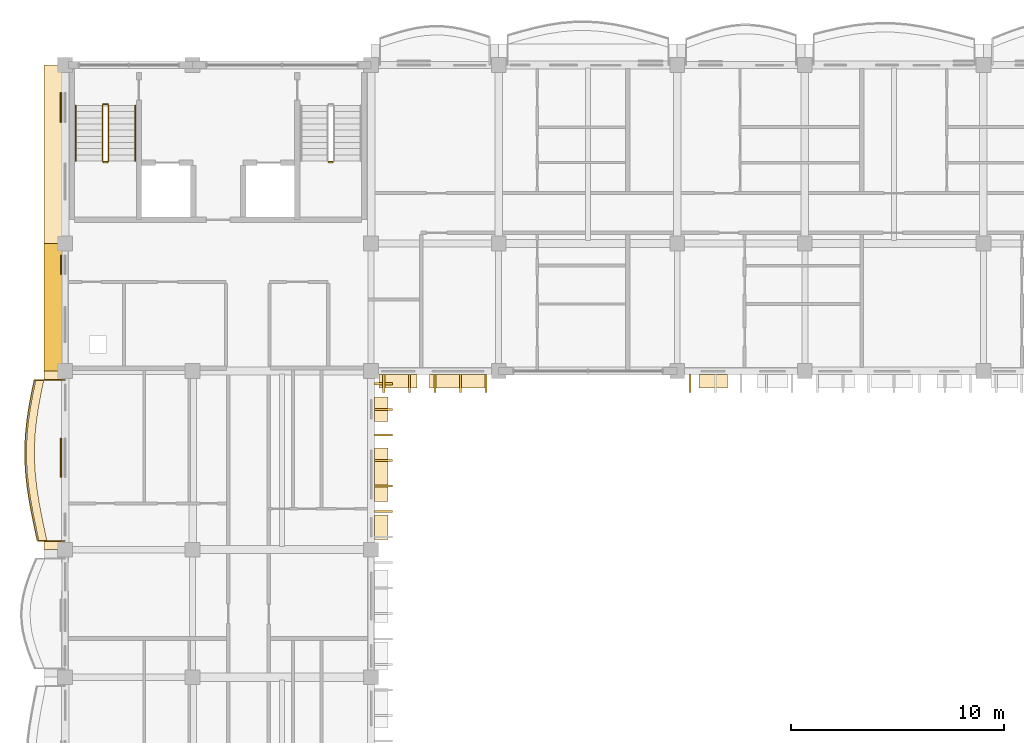
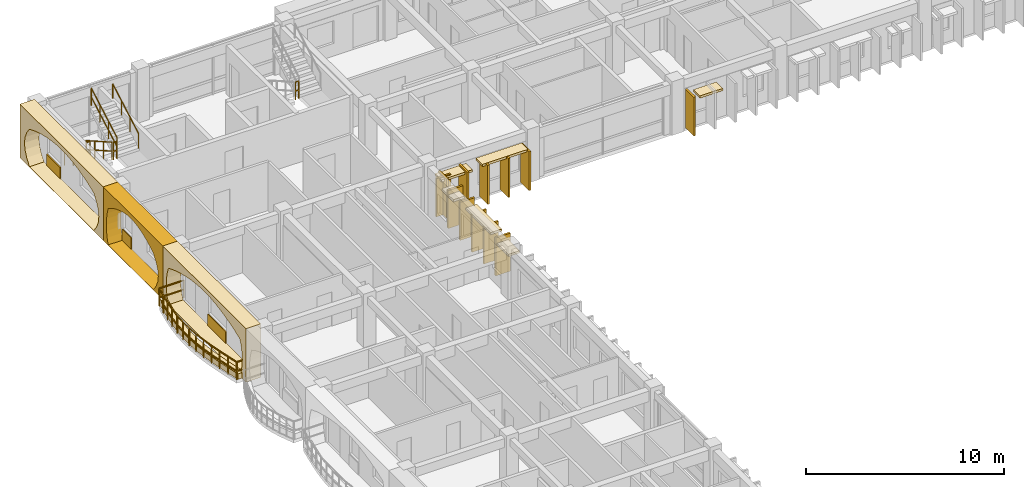
# One storey, part 57 of 76: 25 coverings, 8 railings.
"""IFC4 building model written with IfcOpenShell, lengths in metres."""

from ifc_helpers import new_model, si_unit, direction, frame, origin, origin_2d, place, context, subcontext, project, spatial, polyline, rectangle, outline, extrude, material, layer, layer_set, type_object, element, save


model = new_model("IFC4")

# Units and contexts
model_context = context("Model", 3, precision=1e-05, world=origin(), true_north=direction((0.0, 1.0)))
body_context = subcontext(model_context, "Body", "Model", "MODEL_VIEW")
ifc_project = project(units=[si_unit("LENGTHUNIT", "METRE"), si_unit("AREAUNIT", "SQUARE_METRE"), si_unit("VOLUMEUNIT", "CUBIC_METRE"), si_unit("PLANEANGLEUNIT", "RADIAN"), si_unit("MASSUNIT", "GRAM", prefix="KILO"), si_unit("THERMODYNAMICTEMPERATUREUNIT", "KELVIN")], contexts=[model_context])

# Site, building, storey
site_placement = place(None, origin())
site = spatial("IfcSite", under=ifc_project, at=site_placement, CompositionType="ELEMENT")
building_placement = place(site_placement, origin())
building = spatial("IfcBuilding", under=site, at=building_placement, Name="Thalorik Housing Commons", CompositionType="ELEMENT")
storey_placement = place(building_placement, frame((0.0, 0.0, 18.0)))
storey = spatial("IfcBuildingStorey", under=building, at=storey_placement, Name="L05", CompositionType="ELEMENT", Elevation=18.0)

# Coverings
ifc_material_1 = material(Name="Cobalt blue glazed ceramic facade tile panel", Category="masonry")
ifc_layer_1 = layer(ifc_material_1, 0.06005859375, Name="Cobalt blue glazed ceramic facade tile panel", Category="masonry")
ifc_layer_set_1 = layer_set([ifc_layer_1], Name="Cobalt blue glazed ceramic facade tile panel")
covering_type_1 = type_object("IfcCoveringType", Name="ARC-CLD-BLU-60", PredefinedType="CLADDING", material=ifc_layer_set_1)
covering_1_placement = place(storey_placement, frame((8.21240234375, 105.1298828125, 0.0498046875), z_axis=(0.0, 0.0, 1.0), x_axis=(0.0, -1.0, 0.0)))
element("IfcCovering", 1, at=covering_1_placement, inside=storey, type_object=covering_type_1, Name="L05 De Stijl Recessed Window Spandrel 566", PredefinedType="CLADDING", context=body_context, shape_type="SweptSolid", body=[
    extrude(rectangle(XDim=1.820068359375, YDim=0.06005859375, at=origin_2d()), origin(), (0.0, 0.0, 1.0), 0.699951171875),
])
ifc_material_2 = material(Name="Precast concrete C40/50", Category="concrete")
ifc_layer_2 = layer(ifc_material_2, 0.85009765625, Name="Precast concrete C40/50", Category="concrete")
ifc_layer_set_2 = layer_set([ifc_layer_2], Name="Precast concrete C40/50")
covering_type_2 = type_object("IfcCoveringType", Name="ARC-CLD-CUSH-850", PredefinedType="CLADDING", material=ifc_layer_set_2)
covering_2_placement = place(storey_placement, frame((7.822509765625, 119.39990234375, 0.0), z_axis=(0.0, 0.0, 1.0), x_axis=(0.0, -1.0, 0.0)))
element("IfcCovering", 2, at=covering_2_placement, inside=storey, type_object=covering_type_2, Name="L05 White Precast Curved Cushion Bay Frame 561", PredefinedType="CLADDING", context=body_context, shape_type="SweptSolid", body=[
    extrude(outline(polyline([(-4.199951171875, 0.0), (4.199951171875, 0.0), (4.199951171875, 3.300048828125), (-4.199951171875, 3.300048828125), (-4.199951171875, 0.0)]), holes=[polyline([(3.239990234375, 0.02490234375), (3.523193359375, 0.410888671875), (3.693359375, 0.796630859375), (3.75, 1.1826171875), (3.693359375, 1.568359375), (3.523193359375, 1.9541015625), (3.239990234375, 2.340087890625), (2.699951171875, 2.552978515625), (2.159912109375, 2.720458984375), (1.6201171875, 2.85595703125), (1.080078125, 2.956787109375), (0.5400390625, 3.01904296875), (0.0, 3.0400390625), (-0.5400390625, 3.01904296875), (-1.080078125, 2.956787109375), (-1.6201171875, 2.85595703125), (-2.159912109375, 2.720458984375), (-2.699951171875, 2.552978515625), (-3.239990234375, 2.340087890625), (-3.523193359375, 1.9541015625), (-3.693359375, 1.568359375), (-3.75, 1.1826171875), (-3.693359375, 0.796630859375), (-3.523193359375, 0.410888671875), (-3.239990234375, 0.02490234375), (3.239990234375, 0.02490234375)])]), frame((0.0, 0.425048828125, 0.0), z_axis=(0.0, -1.0, 0.0), x_axis=(1.0, 0.0, 0.0)), (0.0, 0.0, 1.0), 0.85009765625),
])
covering_3_placement = place(storey_placement, frame((7.822509765625, 112.199951171875, 0.0), z_axis=(0.0, 0.0, 1.0), x_axis=(0.0, -1.0, 0.0)))
element("IfcCovering", 3, at=covering_3_placement, inside=storey, type_object=covering_type_2, Name="L05 White Precast Curved Cushion Bay Frame 563", PredefinedType="CLADDING", context=body_context, shape_type="SweptSolid", body=[
    extrude(outline(polyline([(-3.0, 0.0), (3.0, 0.0), (3.0, 3.300048828125), (-3.0, 3.300048828125), (-3.0, 0.0)]), holes=[polyline([(2.0400390625, 0.02490234375), (2.3232421875, 0.40087890625), (2.493408203125, 0.776611328125), (2.550048828125, 1.152587890625), (2.493408203125, 1.5283203125), (2.3232421875, 1.904296875), (2.0400390625, 2.280029296875), (1.661376953125, 2.51123046875), (1.282470703125, 2.693115234375), (0.90380859375, 2.840087890625), (0.52490234375, 2.94970703125), (0.146240234375, 3.01708984375), (-0.232421875, 3.0400390625), (-0.611328125, 3.01708984375), (-0.989990234375, 2.94970703125), (-1.36865234375, 2.840087890625), (-1.74755859375, 2.693115234375), (-2.126220703125, 2.51123046875), (-2.5048828125, 2.280029296875), (-2.609619140625, 1.904296875), (-2.672119140625, 1.5283203125), (-2.693115234375, 1.152587890625), (-2.672119140625, 0.776611328125), (-2.609619140625, 0.40087890625), (-2.5048828125, 0.02490234375), (2.0400390625, 0.02490234375)])]), frame((0.0, 0.425048828125, 0.0), z_axis=(0.0, -1.0, 0.0), x_axis=(1.0, 0.0, 0.0)), (0.0, 0.0, 1.0), 0.85009765625),
])
covering_4_placement = place(storey_placement, frame((7.822509765625, 105.0, 0.0), z_axis=(0.0, 0.0, 1.0), x_axis=(0.0, -1.0, 0.0)))
element("IfcCovering", 4, at=covering_4_placement, inside=storey, type_object=covering_type_2, Name="L05 White Precast Curved Cushion Bay Frame 565", PredefinedType="CLADDING", context=body_context, shape_type="SweptSolid", body=[
    extrude(outline(polyline([(-4.199951171875, 0.0), (4.199951171875, 0.0), (4.199951171875, 3.300048828125), (-4.199951171875, 3.300048828125), (-4.199951171875, 0.0)]), holes=[polyline([(3.590087890625, 0.02490234375), (3.71875, 0.40087890625), (3.7958984375, 0.776611328125), (3.82177734375, 1.152587890625), (3.7958984375, 1.5283203125), (3.71875, 1.904296875), (3.590087890625, 2.280029296875), (2.98828125, 2.51123046875), (2.38671875, 2.693115234375), (1.784912109375, 2.840087890625), (1.183349609375, 2.94970703125), (0.581787109375, 3.01708984375), (-0.02001953125, 3.0400390625), (-0.62158203125, 3.01708984375), (-1.223388671875, 2.94970703125), (-1.824951171875, 2.840087890625), (-2.4267578125, 2.693115234375), (-3.0283203125, 2.51123046875), (-3.6298828125, 2.280029296875), (-3.750244140625, 1.904296875), (-3.822509765625, 1.5283203125), (-3.8466796875, 1.152587890625), (-3.822509765625, 0.776611328125), (-3.750244140625, 0.40087890625), (-3.6298828125, 0.02490234375), (3.590087890625, 0.02490234375)])]), frame((0.0, 0.425048828125, 0.0), z_axis=(0.0, -1.0, 0.0), x_axis=(1.0, 0.0, 0.0)), (0.0, 0.0, 1.0), 0.85009765625),
])
ifc_layer_3 = layer(ifc_material_2, 0.85009765625, Name="Precast concrete C40/50", Category="concrete")
ifc_layer_set_3 = layer_set([ifc_layer_3], Name="Precast concrete C40/50")
covering_type_3 = type_object("IfcCoveringType", Name="ARC-CLD-FIN-850", PredefinedType="CLADDING", material=ifc_layer_set_3)
for number, where, z_axis, x_axis, name in (
    (5, (23.39990234375, 108.62255859375, 0.0400390625), (0.0, 0.0, 1.0), (1.0, 0.0, 0.0), "L05 Courtyard Precast Vertical Brise-Soleil Fin 513"),
    (6, (24.60009765625, 108.62255859375, 0.0400390625), (0.0, 0.0, 1.0), (1.0, 0.0, 0.0), "L05 Courtyard Precast Vertical Brise-Soleil Fin 514"),
    (7, (25.800048828125, 108.62255859375, 0.0400390625), (0.0, 0.0, 1.0), (1.0, 0.0, 0.0), "L05 Courtyard Precast Vertical Brise-Soleil Fin 515"),
    (8, (27.0, 108.62255859375, 0.0400390625), (0.0, 0.0, 1.0), (1.0, 0.0, 0.0), "L05 Courtyard Precast Vertical Brise-Soleil Fin 516"),
    (9, (28.199951171875, 108.62255859375, 0.0400390625), (0.0, 0.0, 1.0), (1.0, 0.0, 0.0), "L05 Courtyard Precast Vertical Brise-Soleil Fin 517"),
    (10, (37.800048828125, 108.62255859375, 0.0400390625), (0.0, 0.0, 1.0), (1.0, 0.0, 0.0), "L05 Courtyard Precast Vertical Brise-Soleil Fin 520"),
):
    element("IfcCovering", number, at=place(storey_placement, frame(where, z_axis=z_axis, x_axis=x_axis)), inside=storey, type_object=covering_type_3, Name=name, PredefinedType="CLADDING", context=body_context, shape_type="SweptSolid", body=[
        extrude(rectangle(XDim=0.110107421875, YDim=0.85009765625, at=origin_2d()), origin(), (0.0, 0.0, 1.0), 2.39501953125),
    ])
for number, where, z_axis, x_axis, name in (
    (11, (23.37744140625, 102.60009765625, 0.0400390625), (0.0, 0.0, 1.0), (0.0, 1.0, 0.0), "L05 Courtyard Precast Vertical Brise-Soleil Fin 610"),
    (12, (23.37744140625, 103.800048828125, 0.0400390625), (0.0, 0.0, 1.0), (0.0, 1.0, 0.0), "L05 Courtyard Precast Vertical Brise-Soleil Fin 611"),
    (13, (23.37744140625, 105.0, 0.0400390625), (0.0, 0.0, 1.0), (0.0, 1.0, 0.0), "L05 Courtyard Precast Vertical Brise-Soleil Fin 612"),
    (14, (23.37744140625, 106.199951171875, 0.0400390625), (0.0, 0.0, 1.0), (0.0, 1.0, 0.0), "L05 Courtyard Precast Vertical Brise-Soleil Fin 613"),
    (15, (23.37744140625, 107.39990234375, 0.0400390625), (0.0, 0.0, 1.0), (0.0, 1.0, 0.0), "L05 Courtyard Precast Vertical Brise-Soleil Fin 614"),
    (16, (23.37744140625, 108.60009765625, 0.0400390625), (0.0, 0.0, 1.0), (0.0, 1.0, 0.0), "L05 Courtyard Precast Vertical Brise-Soleil Fin 615"),
):
    element("IfcCovering", number, at=place(storey_placement, frame(where, z_axis=z_axis, x_axis=x_axis)), inside=storey, type_object=covering_type_3, Name=name, PredefinedType="CLADDING", context=body_context, shape_type="SweptSolid", body=[
        extrude(rectangle(XDim=0.110107421875, YDim=0.85009765625, at=origin_2d()), origin(), (0.0, 0.0, 1.0), 2.344970703125),
    ])
ifc_layer_4 = layer(ifc_material_2, 0.64990234375, Name="Precast concrete C40/50", Category="concrete")
ifc_layer_set_4 = layer_set([ifc_layer_4], Name="Precast concrete C40/50")
covering_type_4 = type_object("IfcCoveringType", Name="ARC-CLD-HOOD-650", PredefinedType="CLADDING", material=ifc_layer_set_4)
covering_5_placement = place(storey_placement, frame((24.070068359375, 108.722412109375, 2.18994140625), z_axis=(0.0, 0.0, 1.0), x_axis=(1.0, 0.0, 0.0)))
element("IfcCovering", 17, at=covering_5_placement, inside=storey, type_object=covering_type_4, Name="L05 Courtyard Precast Window Sun-Hood 518", PredefinedType="CLADDING", context=body_context, shape_type="SweptSolid", body=[
    extrude(rectangle(XDim=1.7900390625, YDim=0.64990234375, at=origin_2d()), origin(), (0.0, 0.0, 1.0), 0.139892578125),
])
covering_6_placement = place(storey_placement, frame((26.8798828125, 108.722412109375, 2.31005859375), z_axis=(0.0, 0.0, 1.0), x_axis=(1.0, 0.0, 0.0)))
element("IfcCovering", 18, at=covering_6_placement, inside=storey, type_object=covering_type_4, Name="L05 Courtyard Precast Window Sun-Hood 519", PredefinedType="CLADDING", context=body_context, shape_type="SweptSolid", body=[
    extrude(rectangle(XDim=2.659912109375, YDim=0.64990234375, at=origin_2d()), origin(), (0.0, 0.0, 1.0), 0.139892578125),
])
covering_7_placement = place(storey_placement, frame((38.882568359375, 108.722412109375, 2.08984375), z_axis=(0.0, 0.0, 1.0), x_axis=(1.0, 0.0, 0.0)))
element("IfcCovering", 19, at=covering_7_placement, inside=storey, type_object=covering_type_4, Name="L05 Courtyard Precast Window Sun-Hood 525", PredefinedType="CLADDING", context=body_context, shape_type="SweptSolid", body=[
    extrude(rectangle(XDim=1.340087890625, YDim=0.64990234375, at=origin_2d()), origin(), (0.0, 0.0, 1.0), 0.139892578125),
])
covering_8_placement = place(storey_placement, frame((23.277587890625, 101.85791015625, 1.990234375), z_axis=(0.0, 0.0, 1.0), x_axis=(0.0, 1.0, 0.0)))
element("IfcCovering", 20, at=covering_8_placement, inside=storey, type_object=covering_type_4, Name="L05 Courtyard Precast Window Sun-Hood 616", PredefinedType="CLADDING", context=body_context, shape_type="SweptSolid", body=[
    extrude(rectangle(XDim=1.139892578125, YDim=0.64990234375, at=origin_2d()), origin(), (0.0, 0.0, 1.0), 0.139892578125),
])
covering_9_placement = place(storey_placement, frame((23.277587890625, 104.331787109375, 2.25), z_axis=(0.0, 0.0, 1.0), x_axis=(0.0, 1.0, 0.0)))
element("IfcCovering", 21, at=covering_9_placement, inside=storey, type_object=covering_type_4, Name="L05 Courtyard Precast Window Sun-Hood 617", PredefinedType="CLADDING", context=body_context, shape_type="SweptSolid", body=[
    extrude(rectangle(XDim=2.52001953125, YDim=0.64990234375, at=origin_2d()), origin(), (0.0, 0.0, 1.0), 0.139892578125),
])
covering_10_placement = place(storey_placement, frame((23.277587890625, 107.40380859375, 1.990234375), z_axis=(0.0, 0.0, 1.0), x_axis=(0.0, 1.0, 0.0)))
element("IfcCovering", 22, at=covering_10_placement, inside=storey, type_object=covering_type_4, Name="L05 Courtyard Precast Window Sun-Hood 618", PredefinedType="CLADDING", context=body_context, shape_type="SweptSolid", body=[
    extrude(rectangle(XDim=1.139892578125, YDim=0.64990234375, at=origin_2d()), origin(), (0.0, 0.0, 1.0), 0.139892578125),
])
ifc_material_3 = material(Name="Terracotta red mineral fibre-cement panel", Category="masonry")
ifc_layer_5 = layer(ifc_material_3, 0.054931640625, Name="Terracotta red mineral fibre-cement panel", Category="masonry")
ifc_layer_set_5 = layer_set([ifc_layer_5], Name="Terracotta red mineral fibre-cement panel")
covering_type_5 = type_object("IfcCoveringType", Name="ARC-CLD-RED-55", PredefinedType="CLADDING", material=ifc_layer_set_5)
covering_11_placement = place(storey_placement, frame((8.215087890625, 114.205078125, 0.0498046875), z_axis=(0.0, 0.0, 1.0), x_axis=(0.0, -1.0, 0.0)))
element("IfcCovering", 23, at=covering_11_placement, inside=storey, type_object=covering_type_5, Name="L05 De Stijl Recessed Window Spandrel 564", PredefinedType="CLADDING", context=body_context, shape_type="SweptSolid", body=[
    extrude(rectangle(XDim=0.89990234375, YDim=0.054931640625, at=origin_2d()), origin(), (0.0, 0.0, 1.0), 0.699951171875),
])
ifc_material_4 = material(Name="Mineral ochre architectural terracotta panel", Category="masonry")
ifc_layer_6 = layer(ifc_material_4, 0.06494140625, Name="Mineral ochre architectural terracotta panel", Category="masonry")
ifc_layer_set_6 = layer_set([ifc_layer_6], Name="Mineral ochre architectural terracotta panel")
covering_type_6 = type_object("IfcCoveringType", Name="ARC-CLD-YEL-65", PredefinedType="CLADDING", material=ifc_layer_set_6)
covering_12_placement = place(storey_placement, frame((8.2099609375, 121.603759765625, 0.0498046875), z_axis=(0.0, 0.0, 1.0), x_axis=(0.0, -1.0, 0.0)))
element("IfcCovering", 24, at=covering_12_placement, inside=storey, type_object=covering_type_6, Name="L05 De Stijl Recessed Window Spandrel 562", PredefinedType="CLADDING", context=body_context, shape_type="SweptSolid", body=[
    extrude(rectangle(XDim=1.3798828125, YDim=0.06494140625, at=origin_2d()), origin(), (0.0, 0.0, 1.0), 0.699951171875),
])
ifc_material_5 = material(Name="Planted vegetated substrate and terracotta trough", Category="masonry")
ifc_layer_7 = layer(ifc_material_5, 0.340087890625, Name="Planted vegetated substrate and terracotta trough", Category="masonry")
ifc_layer_set_7 = layer_set([ifc_layer_7], Name="Planted vegetated substrate and terracotta trough")
covering_type_7 = type_object("IfcCoveringType", Name="ARC-COV-PLANTER", PredefinedType="USERDEFINED", material=ifc_layer_set_7)
covering_13_placement = place(storey_placement, origin())
element("IfcCovering", 25, at=covering_13_placement, inside=storey, type_object=covering_type_7, Name="L05 Balcony Slab-Edge Planted Trough 5356", ObjectType="PLANTER", PredefinedType="USERDEFINED", context=body_context, shape_type="SweptSolid", body=[
    extrude(outline(polyline([(7.021484375, 108.780029296875), (6.889892578125, 108.14990234375), (6.773193359375, 107.52001953125), (6.67919921875, 106.889892578125), (6.613525390625, 106.260009765625), (6.5810546875, 105.6298828125), (6.58349609375, 105.0), (6.620361328125, 104.3701171875), (6.689208984375, 103.739990234375), (6.785400390625, 103.110107421875), (6.90234375, 102.47998046875), (7.031982421875, 101.85009765625), (7.165771484375, 101.219970703125), (7.5458984375, 101.219970703125), (7.412109375, 101.85009765625), (7.282470703125, 102.47998046875), (7.16552734375, 103.110107421875), (7.0693359375, 103.739990234375), (7.00048828125, 104.3701171875), (6.96337890625, 105.0), (6.961181640625, 105.6298828125), (6.99365234375, 106.260009765625), (7.05908203125, 106.889892578125), (7.1533203125, 107.52001953125), (7.27001953125, 108.14990234375), (7.4013671875, 108.780029296875), (7.021484375, 108.780029296875)])), origin(), (0.0, 0.0, 1.0), 0.340087890625),
])

# Railings
ifc_material_6 = material(Name="Steel S355", Category="steel")
railing_type_1 = type_object("IfcRailingType", Name="ARC-RL-BAL-112", PredefinedType="BALUSTRADE", material=ifc_material_6)
railing_1_placement = place(storey_placement, frame((8.39990234375, 108.780029296875, 0.0)))
element("IfcRailing", 26, at=railing_1_placement, inside=storey, type_object=railing_type_1, Name="L05 Cushion Balcony Guardrail 40", PredefinedType="BALUSTRADE", context=body_context, shape_type="SweptSolid", body=[
    extrude(rectangle(XDim=0.050048828125, YDim=0.050048828125, at=origin_2d()), frame((0.0, 0.0, 1.09521484375), z_axis=(-1.0, 0.0, 0.0), x_axis=(0.0, -1.0, 0.0)), (0.0, 0.0, 1.0), 1.448486328125),
    extrude(rectangle(XDim=0.050048828125, YDim=0.050048828125, at=origin_2d()), frame((0.0, 0.0, 0.53515625), z_axis=(-1.0, 0.0, 0.0), x_axis=(0.0, -1.0, 0.0)), (0.0, 0.0, 1.0), 1.448486328125),
    extrude(rectangle(XDim=0.050048828125, YDim=0.050048828125, at=origin_2d()), frame((-1.448486328125, 0.0, 1.09521484375), z_axis=(-0.204060278582, -0.978958325316, 0.0), x_axis=(0.978958325316, -0.204060278582, 0.0)), (0.0, 0.0, 1.0), 0.6435546875),
    extrude(rectangle(XDim=0.050048828125, YDim=0.050048828125, at=origin_2d()), frame((-1.448486328125, 0.0, 0.53515625), z_axis=(-0.204060278582, -0.978958325316, 0.0), x_axis=(0.978958325316, -0.204060278582, 0.0)), (0.0, 0.0, 1.0), 0.6435546875),
    extrude(rectangle(XDim=0.050048828125, YDim=0.050048828125, at=origin_2d()), frame((-1.579833984375, -0.630126953125, 1.09521484375), z_axis=(-0.182171142854, -0.983266838, 0.0), x_axis=(0.983266838, -0.182171142854, 0.0)), (0.0, 0.0, 1.0), 0.640625),
    extrude(rectangle(XDim=0.050048828125, YDim=0.050048828125, at=origin_2d()), frame((-1.579833984375, -0.630126953125, 0.53515625), z_axis=(-0.182171142854, -0.983266838, 0.0), x_axis=(0.983266838, -0.182171142854, 0.0)), (0.0, 0.0, 1.0), 0.640625),
    extrude(rectangle(XDim=0.050048828125, YDim=0.050048828125, at=origin_2d()), frame((-1.696533203125, -1.260009765625, 1.09521484375), z_axis=(-0.147909472647, -0.989000903893, 0.0), x_axis=(0.989000903893, -0.147909472647, 0.0)), (0.0, 0.0, 1.0), 0.63720703125),
    extrude(rectangle(XDim=0.050048828125, YDim=0.050048828125, at=origin_2d()), frame((-1.696533203125, -1.260009765625, 0.53515625), z_axis=(-0.147909472647, -0.989000903893, 0.0), x_axis=(0.989000903893, -0.147909472647, 0.0)), (0.0, 0.0, 1.0), 0.63720703125),
    extrude(rectangle(XDim=0.050048828125, YDim=0.050048828125, at=origin_2d()), frame((-1.790771484375, -1.89013671875, 1.09521484375), z_axis=(-0.10332004178, -0.994648163406, 0.0), x_axis=(0.994648163406, -0.10332004178, 0.0)), (0.0, 0.0, 1.0), 0.63330078125),
    extrude(rectangle(XDim=0.050048828125, YDim=0.050048828125, at=origin_2d()), frame((-1.790771484375, -1.89013671875, 0.53515625), z_axis=(-0.10332004178, -0.994648163406, 0.0), x_axis=(0.994648163406, -0.10332004178, 0.0)), (0.0, 0.0, 1.0), 0.63330078125),
    extrude(rectangle(XDim=0.050048828125, YDim=0.050048828125, at=origin_2d()), frame((-1.856201171875, -2.52001953125, 1.09521484375), z_axis=(-0.05184803106, -0.998654986307, 0.0), x_axis=(0.998654986307, -0.05184803106, 0.0)), (0.0, 0.0, 1.0), 0.630859375),
    extrude(rectangle(XDim=0.050048828125, YDim=0.050048828125, at=origin_2d()), frame((-1.856201171875, -2.52001953125, 0.53515625), z_axis=(-0.05184803106, -0.998654986307, 0.0), x_axis=(0.998654986307, -0.05184803106, 0.0)), (0.0, 0.0, 1.0), 0.630859375),
    extrude(rectangle(XDim=0.050048828125, YDim=0.050048828125, at=origin_2d()), frame((-1.888916015625, -3.150146484375, 1.09521484375), z_axis=(0.003875939878, -0.999992488517, 0.0), x_axis=(0.999992488517, 0.003875939878, 0.0)), (0.0, 0.0, 1.0), 0.6298828125),
    extrude(rectangle(XDim=0.050048828125, YDim=0.050048828125, at=origin_2d()), frame((-1.888916015625, -3.150146484375, 0.53515625), z_axis=(0.003875939878, -0.999992488517, 0.0), x_axis=(0.999992488517, 0.003875939878, 0.0)), (0.0, 0.0, 1.0), 0.6298828125),
    extrude(rectangle(XDim=0.050048828125, YDim=0.050048828125, at=origin_2d()), frame((-1.886474609375, -3.780029296875, 1.09521484375), z_axis=(0.058427148419, -0.998291674977, 0.0), x_axis=(0.998291674977, 0.058427148419, 0.0)), (0.0, 0.0, 1.0), 0.630859375),
    extrude(rectangle(XDim=0.050048828125, YDim=0.050048828125, at=origin_2d()), frame((-1.886474609375, -3.780029296875, 0.53515625), z_axis=(0.058427148419, -0.998291674977, 0.0), x_axis=(0.998291674977, 0.058427148419, 0.0)), (0.0, 0.0, 1.0), 0.630859375),
    extrude(rectangle(XDim=0.050048828125, YDim=0.050048828125, at=origin_2d()), frame((-1.849609375, -4.409912109375, 1.09521484375), z_axis=(0.108994186572, -0.994042387071, 0.0), x_axis=(0.994042387071, 0.108994186572, 0.0)), (0.0, 0.0, 1.0), 0.6337890625),
    extrude(rectangle(XDim=0.050048828125, YDim=0.050048828125, at=origin_2d()), frame((-1.849609375, -4.409912109375, 0.53515625), z_axis=(0.108994186572, -0.994042387071, 0.0), x_axis=(0.994042387071, 0.108994186572, 0.0)), (0.0, 0.0, 1.0), 0.6337890625),
    extrude(rectangle(XDim=0.050048828125, YDim=0.050048828125, at=origin_2d()), frame((-1.780517578125, -5.0400390625, 1.09521484375), z_axis=(0.150962995847, -0.988539414432, 0.0), x_axis=(0.988539414432, 0.150962995847, 0.0)), (0.0, 0.0, 1.0), 0.63720703125),
    extrude(rectangle(XDim=0.050048828125, YDim=0.050048828125, at=origin_2d()), frame((-1.780517578125, -5.0400390625, 0.53515625), z_axis=(0.150962995847, -0.988539414432, 0.0), x_axis=(0.988539414432, 0.150962995847, 0.0)), (0.0, 0.0, 1.0), 0.63720703125),
    extrude(rectangle(XDim=0.050048828125, YDim=0.050048828125, at=origin_2d()), frame((-1.684326171875, -5.669921875, 1.09521484375), z_axis=(0.182471198861, -0.983211198872, 0.0), x_axis=(0.983211198872, 0.182471198861, 0.0)), (0.0, 0.0, 1.0), 0.640869140625),
    extrude(rectangle(XDim=0.050048828125, YDim=0.050048828125, at=origin_2d()), frame((-1.684326171875, -5.669921875, 0.53515625), z_axis=(0.182471198861, -0.983211198872, 0.0), x_axis=(0.983211198872, 0.182471198861, 0.0)), (0.0, 0.0, 1.0), 0.640869140625),
    extrude(rectangle(XDim=0.050048828125, YDim=0.050048828125, at=origin_2d()), frame((-1.5673828125, -6.300048828125, 1.09521484375), z_axis=(0.201588649293, -0.979470273401, 0.0), x_axis=(0.979470273401, 0.201588649293, 0.0)), (0.0, 0.0, 1.0), 0.64306640625),
    extrude(rectangle(XDim=0.050048828125, YDim=0.050048828125, at=origin_2d()), frame((-1.5673828125, -6.300048828125, 0.53515625), z_axis=(0.201588649293, -0.979470273401, 0.0), x_axis=(0.979470273401, 0.201588649293, 0.0)), (0.0, 0.0, 1.0), 0.64306640625),
    extrude(rectangle(XDim=0.050048828125, YDim=0.050048828125, at=origin_2d()), frame((-1.437744140625, -6.929931640625, 1.09521484375), z_axis=(0.207328346642, -0.978271412584, 0.0), x_axis=(0.978271412584, 0.207328346642, 0.0)), (0.0, 0.0, 1.0), 0.64404296875),
    extrude(rectangle(XDim=0.050048828125, YDim=0.050048828125, at=origin_2d()), frame((-1.437744140625, -6.929931640625, 0.53515625), z_axis=(0.207328346642, -0.978271412584, 0.0), x_axis=(0.978271412584, 0.207328346642, 0.0)), (0.0, 0.0, 1.0), 0.64404296875),
    extrude(rectangle(XDim=0.050048828125, YDim=0.050048828125, at=origin_2d()), frame((-1.30419921875, -7.56005859375, 1.09521484375), z_axis=(1.0, 0.0, 0.0), x_axis=(0.0, 1.0, 0.0)), (0.0, 0.0, 1.0), 1.30419921875),
    extrude(rectangle(XDim=0.050048828125, YDim=0.050048828125, at=origin_2d()), frame((-1.30419921875, -7.56005859375, 0.53515625), z_axis=(1.0, 0.0, 0.0), x_axis=(0.0, 1.0, 0.0)), (0.0, 0.0, 1.0), 1.30419921875),
    extrude(rectangle(XDim=0.0419921875, YDim=0.0419921875, at=origin_2d()), origin(), (0.0, 0.0, 1.0), 1.070068359375),
    extrude(rectangle(XDim=0.0419921875, YDim=0.0419921875, at=origin_2d()), frame((-1.448486328125, 0.0, 0.0)), (0.0, 0.0, 1.0), 1.070068359375),
    extrude(rectangle(XDim=0.0419921875, YDim=0.0419921875, at=origin_2d()), frame((-1.579833984375, -0.630126953125, 0.0)), (0.0, 0.0, 1.0), 1.070068359375),
    extrude(rectangle(XDim=0.0419921875, YDim=0.0419921875, at=origin_2d()), frame((-1.696533203125, -1.260009765625, 0.0)), (0.0, 0.0, 1.0), 1.070068359375),
    extrude(rectangle(XDim=0.0419921875, YDim=0.0419921875, at=origin_2d()), frame((-1.790771484375, -1.89013671875, 0.0)), (0.0, 0.0, 1.0), 1.070068359375),
    extrude(rectangle(XDim=0.0419921875, YDim=0.0419921875, at=origin_2d()), frame((-1.856201171875, -2.52001953125, 0.0)), (0.0, 0.0, 1.0), 1.070068359375),
    extrude(rectangle(XDim=0.0419921875, YDim=0.0419921875, at=origin_2d()), frame((-1.888916015625, -3.150146484375, 0.0)), (0.0, 0.0, 1.0), 1.070068359375),
    extrude(rectangle(XDim=0.0419921875, YDim=0.0419921875, at=origin_2d()), frame((-1.886474609375, -3.780029296875, 0.0)), (0.0, 0.0, 1.0), 1.070068359375),
    extrude(rectangle(XDim=0.0419921875, YDim=0.0419921875, at=origin_2d()), frame((-1.849609375, -4.409912109375, 0.0)), (0.0, 0.0, 1.0), 1.070068359375),
    extrude(rectangle(XDim=0.0419921875, YDim=0.0419921875, at=origin_2d()), frame((-1.780517578125, -5.0400390625, 0.0)), (0.0, 0.0, 1.0), 1.070068359375),
    extrude(rectangle(XDim=0.0419921875, YDim=0.0419921875, at=origin_2d()), frame((-1.684326171875, -5.669921875, 0.0)), (0.0, 0.0, 1.0), 1.070068359375),
    extrude(rectangle(XDim=0.0419921875, YDim=0.0419921875, at=origin_2d()), frame((-1.5673828125, -6.300048828125, 0.0)), (0.0, 0.0, 1.0), 1.070068359375),
    extrude(rectangle(XDim=0.0419921875, YDim=0.0419921875, at=origin_2d()), frame((-1.437744140625, -6.929931640625, 0.0)), (0.0, 0.0, 1.0), 1.070068359375),
    extrude(rectangle(XDim=0.0419921875, YDim=0.0419921875, at=origin_2d()), frame((-1.30419921875, -7.56005859375, 0.0)), (0.0, 0.0, 1.0), 1.070068359375),
    extrude(rectangle(XDim=0.0419921875, YDim=0.0419921875, at=origin_2d()), frame((0.0, -7.56005859375, 0.0)), (0.0, 0.0, 1.0), 1.070068359375),
])
railing_type_2 = type_object("IfcRailingType", Name="ARC-RL-STR-GRD110", PredefinedType="GUARDRAIL", material=ifc_material_6)
railing_2_placement = place(storey_placement, frame((10.14990234375, 121.699951171875, 0.1650390625)))
element("IfcRailing", 27, at=railing_2_placement, inside=storey, type_object=railing_type_2, Name="L05 ST-A1 stair guard 1", PredefinedType="GUARDRAIL", context=body_context, shape_type="SweptSolid", body=[
    extrude(rectangle(XDim=0.048095703125, YDim=0.048095703125, at=origin_2d()), frame((0.0, 0.0, 1.076171875), z_axis=(0.0, -0.869172267526, 0.494509422927), x_axis=(1.0, 0.0, 0.0)), (0.0, 0.0, 1.0), 3.002685546875),
    extrude(rectangle(XDim=0.048095703125, YDim=0.048095703125, at=origin_2d()), frame((0.0, 0.0, 0.52587890625), z_axis=(0.0, -0.869172267526, 0.494509422927), x_axis=(1.0, 0.0, 0.0)), (0.0, 0.0, 1.0), 3.002685546875),
    extrude(rectangle(XDim=0.0419921875, YDim=0.0419921875, at=origin_2d()), origin(), (0.0, 0.0, 1.0), 1.052001953125),
    extrude(rectangle(XDim=0.0419921875, YDim=0.0419921875, at=origin_2d()), frame((0.0, -0.869873046875, 0.494873046875)), (0.0, 0.0, 1.0), 1.052001953125),
    extrude(rectangle(XDim=0.0419921875, YDim=0.0419921875, at=origin_2d()), frame((0.0, -1.739990234375, 0.989990234375)), (0.0, 0.0, 1.0), 1.052001953125),
    extrude(rectangle(XDim=0.0419921875, YDim=0.0419921875, at=origin_2d()), frame((0.0, -2.60986328125, 1.48486328125)), (0.0, 0.0, 1.0), 1.052001953125),
])
railing_3_placement = place(storey_placement, frame((10.199951171875, 119.0400390625, 1.64990234375)))
element("IfcRailing", 28, at=railing_3_placement, inside=storey, type_object=railing_type_2, Name="L05 ST-A1 stair guard 2", PredefinedType="GUARDRAIL", context=body_context, shape_type="SweptSolid", body=[
    extrude(rectangle(XDim=0.048095703125, YDim=0.048095703125, at=origin_2d()), frame((0.0, 0.0, 1.076171875), z_axis=(1.0, 0.0, 0.0), x_axis=(0.0, 1.0, 0.0)), (0.0, 0.0, 1.0), 0.199951171875),
    extrude(rectangle(XDim=0.048095703125, YDim=0.048095703125, at=origin_2d()), frame((0.0, 0.0, 0.52587890625), z_axis=(1.0, 0.0, 0.0), x_axis=(0.0, 1.0, 0.0)), (0.0, 0.0, 1.0), 0.199951171875),
    extrude(rectangle(XDim=0.0419921875, YDim=0.0419921875, at=origin_2d()), origin(), (0.0, 0.0, 1.0), 1.052001953125),
    extrude(rectangle(XDim=0.0419921875, YDim=0.0419921875, at=origin_2d()), frame((0.199951171875, 0.0, 0.0)), (0.0, 0.0, 1.0), 1.052001953125),
])
railing_4_placement = place(storey_placement, frame((10.449951171875, 119.090087890625, 1.81494140625)))
element("IfcRailing", 29, at=railing_4_placement, inside=storey, type_object=railing_type_2, Name="L05 ST-A1 stair guard 3", PredefinedType="GUARDRAIL", context=body_context, shape_type="SweptSolid", body=[
    extrude(rectangle(XDim=0.048095703125, YDim=0.048095703125, at=origin_2d()), frame((0.0, 0.0, 1.076171875), z_axis=(0.0, 0.869137319866, 0.494570843475), x_axis=(-1.0, 0.0, 0.0)), (0.0, 0.0, 1.0), 3.0029296875),
    extrude(rectangle(XDim=0.048095703125, YDim=0.048095703125, at=origin_2d()), frame((0.0, 0.0, 0.52587890625), z_axis=(0.0, 0.869137319866, 0.494570843475), x_axis=(-1.0, 0.0, 0.0)), (0.0, 0.0, 1.0), 3.0029296875),
    extrude(rectangle(XDim=0.0419921875, YDim=0.0419921875, at=origin_2d()), origin(), (0.0, 0.0, 1.0), 1.052001953125),
    extrude(rectangle(XDim=0.0419921875, YDim=0.0419921875, at=origin_2d()), frame((0.0, 0.869873046875, 0.4951171875)), (0.0, 0.0, 1.0), 1.052001953125),
    extrude(rectangle(XDim=0.0419921875, YDim=0.0419921875, at=origin_2d()), frame((0.0, 1.739990234375, 0.989990234375)), (0.0, 0.0, 1.0), 1.052001953125),
    extrude(rectangle(XDim=0.0419921875, YDim=0.0419921875, at=origin_2d()), frame((0.0, 2.60986328125, 1.485107421875)), (0.0, 0.0, 1.0), 1.052001953125),
])
for number, where, name in (
    (30, (10.199951171875, 121.75, 0.0), "L05 ST-A1 stair guard 4"),
    (31, (20.800048828125, 119.0400390625, 1.64990234375), "L05 ST-A2 stair guard 2"),
):
    element("IfcRailing", number, at=place(storey_placement, frame(where)), inside=storey, type_object=railing_type_2, Name=name, PredefinedType="GUARDRAIL", context=body_context, shape_type="SweptSolid", body=[
        extrude(rectangle(XDim=0.048095703125, YDim=0.048095703125, at=origin_2d()), frame((0.0, 0.0, 1.076171875), z_axis=(1.0, 0.0, 0.0), x_axis=(0.0, 1.0, 0.0)), (0.0, 0.0, 1.0), 0.199951171875),
        extrude(rectangle(XDim=0.048095703125, YDim=0.048095703125, at=origin_2d()), frame((0.0, 0.0, 0.52587890625), z_axis=(1.0, 0.0, 0.0), x_axis=(0.0, 1.0, 0.0)), (0.0, 0.0, 1.0), 0.199951171875),
        extrude(rectangle(XDim=0.0419921875, YDim=0.0419921875, at=origin_2d()), origin(), (0.0, 0.0, 1.0), 1.052001953125),
        extrude(rectangle(XDim=0.0419921875, YDim=0.0419921875, at=origin_2d()), frame((0.199951171875, 0.0, 0.0)), (0.0, 0.0, 1.0), 1.052001953125),
    ])
railing_type_3 = type_object("IfcRailingType", Name="ARC-RL-STR-HR092", PredefinedType="HANDRAIL", material=ifc_material_6)
railing_5_placement = place(storey_placement, frame((8.89990234375, 121.699951171875, 0.1650390625)))
element("IfcRailing", 32, at=railing_5_placement, inside=storey, type_object=railing_type_3, Name="L05 ST-A1 stair handrail 1", PredefinedType="HANDRAIL", context=body_context, shape_type="SweptSolid", body=[
    extrude(rectangle(XDim=0.048095703125, YDim=0.048095703125, at=origin_2d()), frame((0.0, 0.0, 0.89599609375), z_axis=(0.0, -0.869172267526, 0.494509422927), x_axis=(1.0, 0.0, 0.0)), (0.0, 0.0, 1.0), 3.002685546875),
    extrude(rectangle(XDim=0.0419921875, YDim=0.0419921875, at=origin_2d()), origin(), (0.0, 0.0, 1.0), 0.871826171875),
    extrude(rectangle(XDim=0.0419921875, YDim=0.0419921875, at=origin_2d()), frame((0.0, -0.869873046875, 0.494873046875)), (0.0, 0.0, 1.0), 0.871826171875),
    extrude(rectangle(XDim=0.0419921875, YDim=0.0419921875, at=origin_2d()), frame((0.0, -1.739990234375, 0.989990234375)), (0.0, 0.0, 1.0), 0.871826171875),
    extrude(rectangle(XDim=0.0419921875, YDim=0.0419921875, at=origin_2d()), frame((0.0, -2.60986328125, 1.48486328125)), (0.0, 0.0, 1.0), 0.871826171875),
])
railing_6_placement = place(storey_placement, frame((11.699951171875, 119.090087890625, 1.81494140625)))
element("IfcRailing", 33, at=railing_6_placement, inside=storey, type_object=railing_type_3, Name="L05 ST-A1 stair handrail 2", PredefinedType="HANDRAIL", context=body_context, shape_type="SweptSolid", body=[
    extrude(rectangle(XDim=0.048095703125, YDim=0.048095703125, at=origin_2d()), frame((0.0, 0.0, 0.89599609375), z_axis=(0.0, 0.869137319866, 0.494570843475), x_axis=(-1.0, 0.0, 0.0)), (0.0, 0.0, 1.0), 3.0029296875),
    extrude(rectangle(XDim=0.0419921875, YDim=0.0419921875, at=origin_2d()), origin(), (0.0, 0.0, 1.0), 0.871826171875),
    extrude(rectangle(XDim=0.0419921875, YDim=0.0419921875, at=origin_2d()), frame((0.0, 0.869873046875, 0.4951171875)), (0.0, 0.0, 1.0), 0.871826171875),
    extrude(rectangle(XDim=0.0419921875, YDim=0.0419921875, at=origin_2d()), frame((0.0, 1.739990234375, 0.989990234375)), (0.0, 0.0, 1.0), 0.871826171875),
    extrude(rectangle(XDim=0.0419921875, YDim=0.0419921875, at=origin_2d()), frame((0.0, 2.60986328125, 1.485107421875)), (0.0, 0.0, 1.0), 0.871826171875),
])

save(model, "model.ifc")
